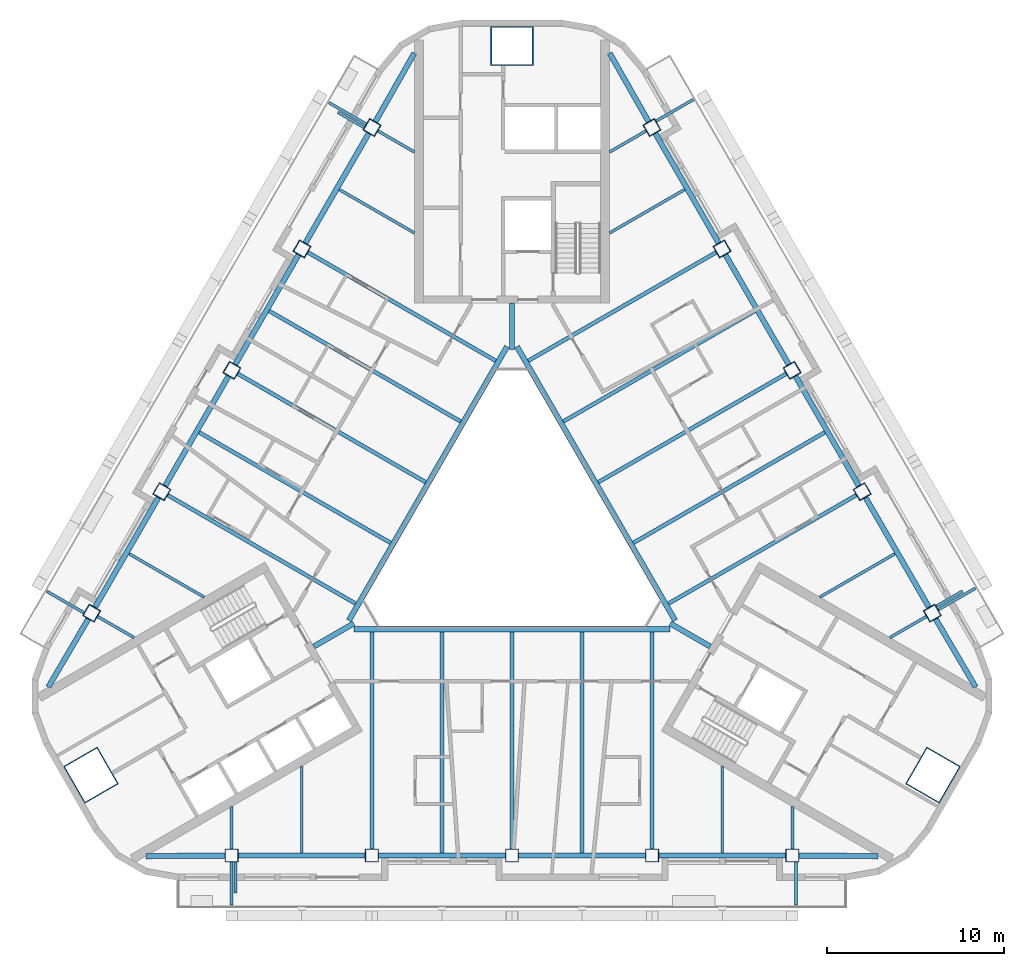
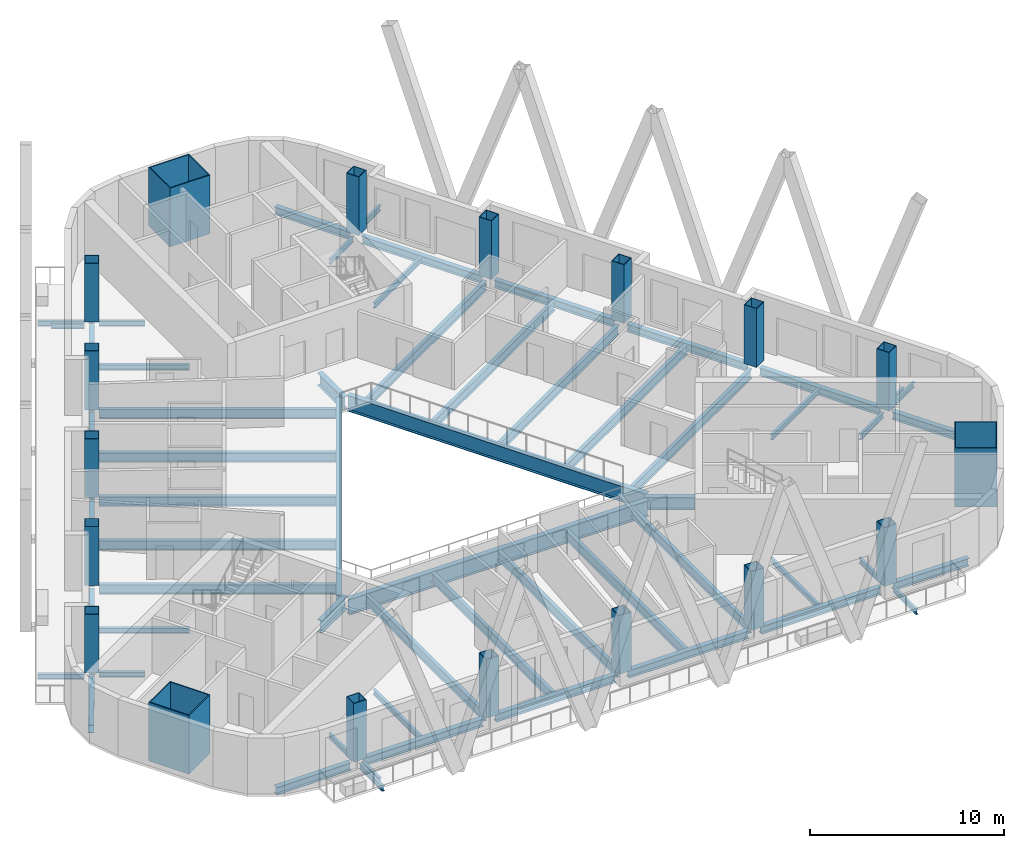
# One storey, part 1 of 14: 60 beams, 18 columns.
"""IFC4 building model written with IfcOpenShell, lengths in metres."""

from ifc_helpers import new_model, si_unit, direction, frame, origin, origin_2d, place, context, subcontext, project, spatial, rectangle, hollow_rectangle, i_section, extrude, material, material_profile, profile_set, type_object, element, save


model = new_model("IFC4")

# Units and contexts
model_context = context("Model", 3, precision=1e-05, world=origin(), true_north=direction((0.0, 1.0)))
body_context = subcontext(model_context, "Body", "Model", "MODEL_VIEW")
ifc_project = project(units=[si_unit("LENGTHUNIT", "METRE"), si_unit("AREAUNIT", "SQUARE_METRE"), si_unit("VOLUMEUNIT", "CUBIC_METRE"), si_unit("PLANEANGLEUNIT", "RADIAN"), si_unit("MASSUNIT", "GRAM", prefix="KILO")], contexts=[model_context])

# Site, building, storey
site_placement = place(None, origin())
site = spatial("IfcSite", under=ifc_project, at=site_placement, CompositionType="ELEMENT")
building_placement = place(site_placement, origin())
building = spatial("IfcBuilding", under=site, at=building_placement, Name="Apuvela Tower Hotel", CompositionType="ELEMENT")
storey_placement = place(building_placement, frame((0.0, 0.0, 202.10009765625)))
storey = spatial("IfcBuildingStorey", under=building, at=storey_placement, Name="L49", CompositionType="ELEMENT", Elevation=202.10009765625)

# Columns
ifc_material_1 = material(Name="Steel S460", Category="steel")
ifc_material_profile_1 = material_profile(ifc_material_1, hollow_rectangle(XDim=2.39990234375, YDim=2.199951171875, WallThickness=0.06005859375, at=origin_2d()), Name="BOX 2400x2200x60")
ifc_material_2 = material(Name="Concrete C80/95", Category="concrete")
ifc_material_profile_2 = material_profile(ifc_material_2, rectangle(XDim=2.280029296875, YDim=2.080078125, at=origin_2d()), Name="Concrete C80/95 infill")
ifc_profile_set_1 = profile_set([ifc_material_profile_1, ifc_material_profile_2], Name="Steel S460")
column_type_1 = type_object("IfcColumnType", Name="STR-MC mega column BOX 2400x2200x60", PredefinedType="COLUMN", material=ifc_profile_set_1)
for number, where, z_axis, x_axis, name in (
    (1, (0.0, 27.39990234375, 0.0), (0.0, 0.0, 1.0), (1.0, 0.0, 0.0), "Mega column MC3 N"),
    (2, (-23.72900390625, -13.699951171875, 0.0), (0.0, 0.0, 1.0), (-0.5, 0.866025403784, 0.0), "Mega column MC3 SW"),
    (3, (23.72900390625, -13.699951171875, 0.0), (0.0, 0.0, 1.0), (0.5, 0.866025403784, 0.0), "Mega column MC3 SE"),
):
    element("IfcColumn", number, at=place(storey_placement, frame(where, z_axis=z_axis, x_axis=x_axis)), inside=storey, type_object=column_type_1, Name=name, PredefinedType="COLUMN", context=body_context, shape_type="SweptSolid", body=[
        extrude(hollow_rectangle(XDim=2.39990234375, YDim=2.199951171875, WallThickness=0.06005859375, at=origin_2d()), origin(), (0.0, 0.0, 1.0), 3.699951171875),
    ])
ifc_material_profile_3 = material_profile(ifc_material_1, hollow_rectangle(XDim=0.75, YDim=0.75, WallThickness=0.034912109375, at=origin_2d()), Name="BOX 750x750x35")
ifc_material_profile_4 = material_profile(ifc_material_2, rectangle(XDim=0.679931640625, YDim=0.679931640625, at=origin_2d()), Name="Concrete C80/95 infill")
ifc_profile_set_2 = profile_set([ifc_material_profile_3, ifc_material_profile_4], Name="Steel S460")
column_type_2 = type_object("IfcColumnType", Name="STR-PC perimeter column BOX 750x750x35", PredefinedType="COLUMN", material=ifc_profile_set_2)
for number, where, z_axis, x_axis, name in (
    (4, (-15.800048828125, -18.22998046875, 0.0), (0.0, 0.0, 1.0), (-1.0, 0.0, 0.0), "Perimeter column C5 S1"),
    (5, (-7.89990234375, -18.22998046875, 0.0), (0.0, 0.0, 1.0), (-1.0, 0.0, 0.0), "Perimeter column C5 S2"),
    (6, (0.0, -18.22998046875, 0.0), (0.0, 0.0, 1.0), (-1.0, 0.0, 0.0), "Perimeter column C5 S3"),
    (7, (7.89990234375, -18.22998046875, 0.0), (0.0, 0.0, 1.0), (-1.0, 0.0, 0.0), "Perimeter column C5 S4"),
    (8, (15.800048828125, -18.22998046875, 0.0), (0.0, 0.0, 1.0), (-1.0, 0.0, 0.0), "Perimeter column C5 S5"),
    (9, (23.6875, -4.568115234375, 0.0), (0.0, 0.0, 1.0), (-0.5, 0.866025403784, 0.0), "Perimeter column C5 NE1"),
    (10, (19.737548828125, 2.2734375, 0.0), (0.0, 0.0, 1.0), (-0.5, 0.866025403784, 0.0), "Perimeter column C5 NE2"),
    (11, (15.78759765625, 9.114990234375, 0.0), (0.0, 0.0, 1.0), (-0.5, 0.866025403784, 0.0), "Perimeter column C5 NE3"),
    (12, (11.837646484375, 15.95654296875, 0.0), (0.0, 0.0, 1.0), (-0.5, 0.866025403784, 0.0), "Perimeter column C5 NE4"),
    (13, (7.8876953125, 22.798095703125, 0.0), (0.0, 0.0, 1.0), (-0.5, 0.866025403784, 0.0), "Perimeter column C5 NE5"),
    (14, (-7.8876953125, 22.798095703125, 0.0), (0.0, 0.0, 1.0), (0.5, 0.866025403784, 0.0), "Perimeter column C5 NW1"),
    (15, (-11.837646484375, 15.95654296875, 0.0), (0.0, 0.0, 1.0), (0.5, 0.866025403784, 0.0), "Perimeter column C5 NW2"),
    (16, (-15.78759765625, 9.114990234375, 0.0), (0.0, 0.0, 1.0), (0.5, 0.866025403784, 0.0), "Perimeter column C5 NW3"),
    (17, (-19.737548828125, 2.2734375, 0.0), (0.0, 0.0, 1.0), (0.5, 0.866025403784, 0.0), "Perimeter column C5 NW4"),
    (18, (-23.6875, -4.568115234375, 0.0), (0.0, 0.0, 1.0), (0.5, 0.866025403784, 0.0), "Perimeter column C5 NW5"),
):
    element("IfcColumn", number, at=place(storey_placement, frame(where, z_axis=z_axis, x_axis=x_axis)), inside=storey, type_object=column_type_2, Name=name, PredefinedType="COLUMN", context=body_context, shape_type="SweptSolid", body=[
        extrude(hollow_rectangle(XDim=0.75, YDim=0.75, WallThickness=0.034912109375, at=origin_2d()), origin(), (0.0, 0.0, 1.0), 3.699951171875),
    ])

# Beams
ifc_material_3 = material(Name="Steel S355", Category="steel")
ifc_material_profile_5 = material_profile(ifc_material_3, i_section(OverallWidth=0.159912109375, OverallDepth=0.330078125, WebThickness=0.007568359375, FlangeThickness=0.011474609375, at=origin_2d()), Name="IPE 330")
ifc_profile_set_3 = profile_set([ifc_material_profile_5], Name="Steel S355")
beam_type_1 = type_object("IfcBeamType", Name="ENV-BALCONY-BEAM-IPE330", PredefinedType="BEAM", material=ifc_profile_set_3)
beam_1_placement = place(storey_placement, frame((-15.800048828125, -18.60498046875, -0.315185546875), z_axis=(0.0, -1.0, 0.0), x_axis=(1.0, 0.0, 0.0)))
element("IfcBeam", 19, at=beam_1_placement, inside=storey, type_object=beam_type_1, Name="Balcony cantilever beam S1 L49", PredefinedType="BEAM", context=body_context, shape_type="SweptSolid", body=[
    extrude(i_section(OverallWidth=0.159912109375, OverallDepth=0.330078125, WebThickness=0.007568359375, FlangeThickness=0.011474609375, at=origin_2d()), origin(), (0.0, 0.0, 1.0), 2.425048828125),
])
beam_2_placement = place(storey_placement, frame((-15.580078125, -18.60498046875, -0.315185546875), z_axis=(0.0, -1.0, 0.0), x_axis=(1.0, 0.0, 0.0)))
element("IfcBeam", 20, at=beam_2_placement, inside=storey, type_object=beam_type_1, Name="Balcony cantilever beam S2 L49", PredefinedType="BEAM", context=body_context, shape_type="SweptSolid", body=[
    extrude(i_section(OverallWidth=0.159912109375, OverallDepth=0.330078125, WebThickness=0.007568359375, FlangeThickness=0.011474609375, at=origin_2d()), origin(), (0.0, 0.0, 1.0), 1.72509765625),
])
for number, where, z_axis, x_axis, name in (
    (21, (16.0, -18.60498046875, -0.315185546875), (0.0, -1.0, 0.0), (1.0, 0.0, 0.0), "Balcony cantilever beam S3 L49"),
    (22, (24.012451171875, -4.380615234375, -0.315185546875), (0.866041403502, 0.499972286653, 0.0), (-0.499972286653, 0.866041403502, 0.0), "Balcony cantilever beam NE1 L49"),
):
    element("IfcBeam", number, at=place(storey_placement, frame(where, z_axis=z_axis, x_axis=x_axis)), inside=storey, type_object=beam_type_1, Name=name, PredefinedType="BEAM", context=body_context, shape_type="SweptSolid", body=[
        extrude(i_section(OverallWidth=0.159912109375, OverallDepth=0.330078125, WebThickness=0.007568359375, FlangeThickness=0.011474609375, at=origin_2d()), origin(), (0.0, 0.0, 1.0), 2.425048828125),
    ])
beam_3_placement = place(storey_placement, frame((23.90234375, -4.190185546875, -0.315185546875), z_axis=(0.866013532718, 0.500020560727, 0.0), x_axis=(-0.500020560727, 0.866013532718, 0.0)))
element("IfcBeam", 23, at=beam_3_placement, inside=storey, type_object=beam_type_1, Name="Balcony cantilever beam NE2 L49", PredefinedType="BEAM", context=body_context, shape_type="SweptSolid", body=[
    extrude(i_section(OverallWidth=0.159912109375, OverallDepth=0.330078125, WebThickness=0.007568359375, FlangeThickness=0.011474609375, at=origin_2d()), origin(), (0.0, 0.0, 1.0), 1.72509765625),
])
for number, where, z_axis, x_axis, name in (
    (24, (8.1123046875, 23.158935546875, -0.315185546875), (0.866041403502, 0.499972286653, 0.0), (-0.499972286653, 0.866041403502, 0.0), "Balcony cantilever beam NE3 L49"),
    (25, (-8.21240234375, 22.985595703125, -0.315185546875), (-0.865997808697, 0.500047793048, 0.0), (-0.500047793048, -0.865997808697, 0.0), "Balcony cantilever beam NW1 L49"),
):
    element("IfcBeam", number, at=place(storey_placement, frame(where, z_axis=z_axis, x_axis=x_axis)), inside=storey, type_object=beam_type_1, Name=name, PredefinedType="BEAM", context=body_context, shape_type="SweptSolid", body=[
        extrude(i_section(OverallWidth=0.159912109375, OverallDepth=0.330078125, WebThickness=0.007568359375, FlangeThickness=0.011474609375, at=origin_2d()), origin(), (0.0, 0.0, 1.0), 2.425048828125),
    ])
beam_4_placement = place(storey_placement, frame((-8.322509765625, 22.795166015625, -0.315185546875), z_axis=(-0.866013532718, 0.500020560727, 0.0), x_axis=(-0.500020560727, -0.866013532718, 0.0)))
element("IfcBeam", 26, at=beam_4_placement, inside=storey, type_object=beam_type_1, Name="Balcony cantilever beam NW2 L49", PredefinedType="BEAM", context=body_context, shape_type="SweptSolid", body=[
    extrude(i_section(OverallWidth=0.159912109375, OverallDepth=0.330078125, WebThickness=0.007568359375, FlangeThickness=0.011474609375, at=origin_2d()), origin(), (0.0, 0.0, 1.0), 1.72509765625),
])
beam_5_placement = place(storey_placement, frame((-24.1123046875, -4.553955078125, -0.315185546875), z_axis=(-0.865997808697, 0.500047793048, 0.0), x_axis=(-0.500047793048, -0.865997808697, 0.0)))
element("IfcBeam", 27, at=beam_5_placement, inside=storey, type_object=beam_type_1, Name="Balcony cantilever beam NW3 L49", PredefinedType="BEAM", context=body_context, shape_type="SweptSolid", body=[
    extrude(i_section(OverallWidth=0.159912109375, OverallDepth=0.330078125, WebThickness=0.007568359375, FlangeThickness=0.011474609375, at=origin_2d()), origin(), (0.0, 0.0, 1.0), 2.425048828125),
])
ifc_material_profile_6 = material_profile(ifc_material_3, i_section(OverallWidth=0.159912109375, OverallDepth=0.330078125, WebThickness=0.007568359375, FlangeThickness=0.011474609375, at=origin_2d()), Name="IPE 330")
ifc_profile_set_4 = profile_set([ifc_material_profile_6], Name="Steel S355")
beam_type_2 = type_object("IfcBeamType", Name="STR-B floor beam IPE 330", PredefinedType="BEAM", material=ifc_profile_set_4)
beam_6_placement = place(storey_placement, frame((23.36279296875, -4.755615234375, -0.315185546875), z_axis=(-0.865982457891, -0.500074377092, 0.0), x_axis=(0.500074377092, -0.865982457891, 0.0)))
element("IfcBeam", 28, at=beam_6_placement, inside=storey, type_object=beam_type_2, Name="Floor beam B1 NE1", PredefinedType="BEAM", context=body_context, shape_type="SweptSolid", body=[
    extrude(i_section(OverallWidth=0.159912109375, OverallDepth=0.330078125, WebThickness=0.007568359375, FlangeThickness=0.011474609375, at=origin_2d()), origin(), (0.0, 0.0, 1.0), 2.382080078125),
])
for number, where, z_axis, x_axis, name in (
    (29, (21.582763671875, -1.222412109375, -0.315185546875), (-0.866015056278, -0.500017921979, 0.0), (0.500017921979, -0.866015056278, 0.0), "Floor beam B1 NE2"),
    (30, (9.732666015625, 19.302490234375, -0.315185546875), (-0.866015056278, -0.500017921979, 0.0), (0.500017921979, -0.866015056278, 0.0), "Floor beam B1 NE8"),
):
    element("IfcBeam", number, at=place(storey_placement, frame(where, z_axis=z_axis, x_axis=x_axis)), inside=storey, type_object=beam_type_2, Name=name, PredefinedType="BEAM", context=body_context, shape_type="SweptSolid", body=[
        extrude(i_section(OverallWidth=0.159912109375, OverallDepth=0.330078125, WebThickness=0.007568359375, FlangeThickness=0.011474609375, at=origin_2d()), origin(), (0.0, 0.0, 1.0), 4.887451171875),
    ])
for number, where, z_axis, x_axis, name in (
    (31, (7.56298828125, 22.610595703125, -0.315185546875), (-0.866052464367, -0.499953126767, 0.0), (0.499953126767, -0.866052464367, 0.0), "Floor beam B1 NE9"),
    (32, (-7.56298828125, 22.610595703125, -0.315185546875), (0.866052464367, -0.499953126767, 0.0), (0.499953126767, 0.866052464367, 0.0), "Floor beam B1 NW1"),
):
    element("IfcBeam", number, at=place(storey_placement, frame(where, z_axis=z_axis, x_axis=x_axis)), inside=storey, type_object=beam_type_2, Name=name, PredefinedType="BEAM", context=body_context, shape_type="SweptSolid", body=[
        extrude(i_section(OverallWidth=0.159912109375, OverallDepth=0.330078125, WebThickness=0.007568359375, FlangeThickness=0.011474609375, at=origin_2d()), origin(), (0.0, 0.0, 1.0), 2.382080078125),
    ])
for number, where, z_axis, x_axis, name in (
    (33, (-9.732666015625, 19.302490234375, -0.315185546875), (0.866015056278, -0.500017921979, 0.0), (0.500017921979, 0.866015056278, 0.0), "Floor beam B1 NW2"),
    (34, (-21.582763671875, -1.222412109375, -0.315185546875), (0.866015056278, -0.500017921979, 0.0), (0.500017921979, 0.866015056278, 0.0), "Floor beam B1 NW8"),
):
    element("IfcBeam", number, at=place(storey_placement, frame(where, z_axis=z_axis, x_axis=x_axis)), inside=storey, type_object=beam_type_2, Name=name, PredefinedType="BEAM", context=body_context, shape_type="SweptSolid", body=[
        extrude(i_section(OverallWidth=0.159912109375, OverallDepth=0.330078125, WebThickness=0.007568359375, FlangeThickness=0.011474609375, at=origin_2d()), origin(), (0.0, 0.0, 1.0), 4.887451171875),
    ])
for number, where, z_axis, x_axis, name in (
    (35, (-23.36279296875, -4.755615234375, -0.315185546875), (0.865982457891, -0.500074377092, 0.0), (0.500074377092, 0.865982457891, 0.0), "Floor beam B1 NW9"),
    (36, (-15.800048828125, -17.85498046875, -0.315185546875), (0.0, 1.0, 0.0), (-1.0, 0.0, 0.0), "Floor beam B1 S1"),
):
    element("IfcBeam", number, at=place(storey_placement, frame(where, z_axis=z_axis, x_axis=x_axis)), inside=storey, type_object=beam_type_2, Name=name, PredefinedType="BEAM", context=body_context, shape_type="SweptSolid", body=[
        extrude(i_section(OverallWidth=0.159912109375, OverallDepth=0.330078125, WebThickness=0.007568359375, FlangeThickness=0.011474609375, at=origin_2d()), origin(), (0.0, 0.0, 1.0), 2.382080078125),
    ])
for number, where, z_axis, x_axis, name in (
    (37, (-11.85009765625, -18.080078125, -0.315185546875), (0.0, 1.0, 0.0), (-1.0, 0.0, 0.0), "Floor beam B1 S2"),
    (38, (11.85009765625, -18.080078125, -0.315185546875), (0.0, 1.0, 0.0), (-1.0, 0.0, 0.0), "Floor beam B1 S8"),
):
    element("IfcBeam", number, at=place(storey_placement, frame(where, z_axis=z_axis, x_axis=x_axis)), inside=storey, type_object=beam_type_2, Name=name, PredefinedType="BEAM", context=body_context, shape_type="SweptSolid", body=[
        extrude(i_section(OverallWidth=0.159912109375, OverallDepth=0.330078125, WebThickness=0.007568359375, FlangeThickness=0.011474609375, at=origin_2d()), origin(), (0.0, 0.0, 1.0), 4.8876953125),
    ])
beam_7_placement = place(storey_placement, frame((15.800048828125, -17.85498046875, -0.315185546875), z_axis=(0.0, 1.0, 0.0), x_axis=(-1.0, 0.0, 0.0)))
element("IfcBeam", 39, at=beam_7_placement, inside=storey, type_object=beam_type_2, Name="Floor beam B1 S9", PredefinedType="BEAM", context=body_context, shape_type="SweptSolid", body=[
    extrude(i_section(OverallWidth=0.159912109375, OverallDepth=0.330078125, WebThickness=0.007568359375, FlangeThickness=0.011474609375, at=origin_2d()), origin(), (0.0, 0.0, 1.0), 2.382080078125),
])
ifc_material_profile_7 = material_profile(ifc_material_3, i_section(OverallWidth=0.219970703125, OverallDepth=0.60009765625, WebThickness=0.011962890625, FlangeThickness=0.01904296875, at=origin_2d()), Name="IPE 600")
ifc_profile_set_5 = profile_set([ifc_material_profile_7], Name="Steel S355")
beam_type_3 = type_object("IfcBeamType", Name="STR-B floor beam IPE 600", PredefinedType="BEAM", material=ifc_profile_set_5)
beam_8_placement = place(storey_placement, frame((19.412841796875, 2.0859375, -0.4501953125), z_axis=(-0.866025418325, -0.499999974815, 0.0), x_axis=(0.499999974815, -0.866025418325, 0.0)))
element("IfcBeam", 40, at=beam_8_placement, inside=storey, type_object=beam_type_3, Name="Floor beam B8 NE3", PredefinedType="BEAM", context=body_context, shape_type="SweptSolid", body=[
    extrude(i_section(OverallWidth=0.219970703125, OverallDepth=0.60009765625, WebThickness=0.011962890625, FlangeThickness=0.01904296875, at=origin_2d()), origin(), (0.0, 0.0, 1.0), 12.23486328125),
])
beam_9_placement = place(storey_placement, frame((17.6328125, 5.619140625, -0.4501953125), z_axis=(-0.866027987673, -0.499995524547, 0.0), x_axis=(0.499995524547, -0.866027987673, 0.0)))
element("IfcBeam", 41, at=beam_9_placement, inside=storey, type_object=beam_type_3, Name="Floor beam B8 NE4", PredefinedType="BEAM", context=body_context, shape_type="SweptSolid", body=[
    extrude(i_section(OverallWidth=0.219970703125, OverallDepth=0.60009765625, WebThickness=0.011962890625, FlangeThickness=0.01904296875, at=origin_2d()), origin(), (0.0, 0.0, 1.0), 12.4599609375),
])
beam_10_placement = place(storey_placement, frame((15.462890625, 8.927490234375, -0.4501953125), z_axis=(-0.866025418325, -0.499999974815, 0.0), x_axis=(0.499999974815, -0.866025418325, 0.0)))
element("IfcBeam", 42, at=beam_10_placement, inside=storey, type_object=beam_type_3, Name="Floor beam B8 NE5", PredefinedType="BEAM", context=body_context, shape_type="SweptSolid", body=[
    extrude(i_section(OverallWidth=0.219970703125, OverallDepth=0.60009765625, WebThickness=0.011962890625, FlangeThickness=0.01904296875, at=origin_2d()), origin(), (0.0, 0.0, 1.0), 12.23486328125),
])
beam_11_placement = place(storey_placement, frame((13.6826171875, 12.460693359375, -0.4501953125), z_axis=(-0.866023089177, -0.500004008996, 0.0), x_axis=(0.500004008996, -0.866023089177, 0.0)))
element("IfcBeam", 43, at=beam_11_placement, inside=storey, type_object=beam_type_3, Name="Floor beam B8 NE6", PredefinedType="BEAM", context=body_context, shape_type="SweptSolid", body=[
    extrude(i_section(OverallWidth=0.219970703125, OverallDepth=0.60009765625, WebThickness=0.011962890625, FlangeThickness=0.01904296875, at=origin_2d()), origin(), (0.0, 0.0, 1.0), 12.4599609375),
])
for number, where, z_axis, x_axis, name in (
    (44, (11.512939453125, 15.76904296875, -0.4501953125), (-0.866030406821, -0.499991334387, 0.0), (0.499991334387, -0.866030406821, 0.0), "Floor beam B8 NE7"),
    (45, (-11.512939453125, 15.76904296875, -0.4501953125), (0.866030406821, -0.499991334387, 0.0), (0.499991334387, 0.866030406821, 0.0), "Floor beam B8 NW3"),
):
    element("IfcBeam", number, at=place(storey_placement, frame(where, z_axis=z_axis, x_axis=x_axis)), inside=storey, type_object=beam_type_3, Name=name, PredefinedType="BEAM", context=body_context, shape_type="SweptSolid", body=[
        extrude(i_section(OverallWidth=0.219970703125, OverallDepth=0.60009765625, WebThickness=0.011962890625, FlangeThickness=0.01904296875, at=origin_2d()), origin(), (0.0, 0.0, 1.0), 12.235107421875),
    ])
beam_12_placement = place(storey_placement, frame((-13.6826171875, 12.460693359375, -0.4501953125), z_axis=(0.866023089177, -0.500004008996, 0.0), x_axis=(0.500004008996, 0.866023089177, 0.0)))
element("IfcBeam", 46, at=beam_12_placement, inside=storey, type_object=beam_type_3, Name="Floor beam B8 NW4", PredefinedType="BEAM", context=body_context, shape_type="SweptSolid", body=[
    extrude(i_section(OverallWidth=0.219970703125, OverallDepth=0.60009765625, WebThickness=0.011962890625, FlangeThickness=0.01904296875, at=origin_2d()), origin(), (0.0, 0.0, 1.0), 12.4599609375),
])
beam_13_placement = place(storey_placement, frame((-15.462890625, 8.927490234375, -0.4501953125), z_axis=(0.866025418325, -0.499999974815, 0.0), x_axis=(0.499999974815, 0.866025418325, 0.0)))
element("IfcBeam", 47, at=beam_13_placement, inside=storey, type_object=beam_type_3, Name="Floor beam B8 NW5", PredefinedType="BEAM", context=body_context, shape_type="SweptSolid", body=[
    extrude(i_section(OverallWidth=0.219970703125, OverallDepth=0.60009765625, WebThickness=0.011962890625, FlangeThickness=0.01904296875, at=origin_2d()), origin(), (0.0, 0.0, 1.0), 12.23486328125),
])
beam_14_placement = place(storey_placement, frame((-17.6328125, 5.619140625, -0.4501953125), z_axis=(0.866027987673, -0.499995524547, 0.0), x_axis=(0.499995524547, 0.866027987673, 0.0)))
element("IfcBeam", 48, at=beam_14_placement, inside=storey, type_object=beam_type_3, Name="Floor beam B8 NW6", PredefinedType="BEAM", context=body_context, shape_type="SweptSolid", body=[
    extrude(i_section(OverallWidth=0.219970703125, OverallDepth=0.60009765625, WebThickness=0.011962890625, FlangeThickness=0.01904296875, at=origin_2d()), origin(), (0.0, 0.0, 1.0), 12.4599609375),
])
for number, where, z_axis, x_axis, name in (
    (49, (-19.412841796875, 2.0859375, -0.4501953125), (0.866025418325, -0.499999974815, 0.0), (0.499999974815, 0.866025418325, 0.0), "Floor beam B8 NW7"),
    (50, (-7.89990234375, -17.85498046875, -0.4501953125), (0.0, 1.0, 0.0), (-1.0, 0.0, 0.0), "Floor beam B8 S3"),
):
    element("IfcBeam", number, at=place(storey_placement, frame(where, z_axis=z_axis, x_axis=x_axis)), inside=storey, type_object=beam_type_3, Name=name, PredefinedType="BEAM", context=body_context, shape_type="SweptSolid", body=[
        extrude(i_section(OverallWidth=0.219970703125, OverallDepth=0.60009765625, WebThickness=0.011962890625, FlangeThickness=0.01904296875, at=origin_2d()), origin(), (0.0, 0.0, 1.0), 12.23486328125),
    ])
beam_15_placement = place(storey_placement, frame((-3.949951171875, -18.080078125, -0.4501953125), z_axis=(0.0, 1.0, 0.0), x_axis=(-1.0, 0.0, 0.0)))
element("IfcBeam", 51, at=beam_15_placement, inside=storey, type_object=beam_type_3, Name="Floor beam B8 S4", PredefinedType="BEAM", context=body_context, shape_type="SweptSolid", body=[
    extrude(i_section(OverallWidth=0.219970703125, OverallDepth=0.60009765625, WebThickness=0.011962890625, FlangeThickness=0.01904296875, at=origin_2d()), origin(), (0.0, 0.0, 1.0), 12.4599609375),
])
beam_16_placement = place(storey_placement, frame((0.0, -17.85498046875, -0.4501953125), z_axis=(0.0, 1.0, 0.0), x_axis=(-1.0, 0.0, 0.0)))
element("IfcBeam", 52, at=beam_16_placement, inside=storey, type_object=beam_type_3, Name="Floor beam B8 S5", PredefinedType="BEAM", context=body_context, shape_type="SweptSolid", body=[
    extrude(i_section(OverallWidth=0.219970703125, OverallDepth=0.60009765625, WebThickness=0.011962890625, FlangeThickness=0.01904296875, at=origin_2d()), origin(), (0.0, 0.0, 1.0), 12.23486328125),
])
beam_17_placement = place(storey_placement, frame((3.949951171875, -18.080078125, -0.4501953125), z_axis=(0.0, 1.0, 0.0), x_axis=(-1.0, 0.0, 0.0)))
element("IfcBeam", 53, at=beam_17_placement, inside=storey, type_object=beam_type_3, Name="Floor beam B8 S6", PredefinedType="BEAM", context=body_context, shape_type="SweptSolid", body=[
    extrude(i_section(OverallWidth=0.219970703125, OverallDepth=0.60009765625, WebThickness=0.011962890625, FlangeThickness=0.01904296875, at=origin_2d()), origin(), (0.0, 0.0, 1.0), 12.4599609375),
])
beam_18_placement = place(storey_placement, frame((7.89990234375, -17.85498046875, -0.4501953125), z_axis=(0.0, 1.0, 0.0), x_axis=(-1.0, 0.0, 0.0)))
element("IfcBeam", 54, at=beam_18_placement, inside=storey, type_object=beam_type_3, Name="Floor beam B8 S7", PredefinedType="BEAM", context=body_context, shape_type="SweptSolid", body=[
    extrude(i_section(OverallWidth=0.219970703125, OverallDepth=0.60009765625, WebThickness=0.011962890625, FlangeThickness=0.01904296875, at=origin_2d()), origin(), (0.0, 0.0, 1.0), 12.23486328125),
])
ifc_material_profile_8 = material_profile(ifc_material_3, i_section(OverallWidth=0.300048828125, OverallDepth=1.0, WebThickness=0.01904296875, FlangeThickness=0.035888671875, at=origin_2d()), Name="HE 1000 B")
ifc_profile_set_6 = profile_set([ifc_material_profile_8], Name="Steel S355")
beam_type_4 = type_object("IfcBeamType", Name="STR-G atrium ring girder HE 1000 B", PredefinedType="BEAM", material=ifc_profile_set_6)
beam_19_placement = place(storey_placement, frame((-0.27978515625, 10.455078125, -0.650146484375), z_axis=(-0.500006541319, -0.866021627119, 0.0), x_axis=(0.866021627119, -0.500006541319, 0.0)))
element("IfcBeam", 55, at=beam_19_placement, inside=storey, type_object=beam_type_4, Name="Atrium ring girder G2 N-SW", PredefinedType="BEAM", context=body_context, shape_type="SweptSolid", body=[
    extrude(i_section(OverallWidth=0.300048828125, OverallDepth=1.0, WebThickness=0.01904296875, FlangeThickness=0.035888671875, at=origin_2d()), origin(), (0.0, 0.0, 1.0), 17.828857421875),
])
beam_20_placement = place(storey_placement, frame((-8.91455078125, -5.469970703125, -0.650146484375), z_axis=(1.0, 0.0, 0.0), x_axis=(0.0, 1.0, 0.0)))
element("IfcBeam", 56, at=beam_20_placement, inside=storey, type_object=beam_type_4, Name="Atrium ring girder G2 SW-SE", PredefinedType="BEAM", context=body_context, shape_type="SweptSolid", body=[
    extrude(i_section(OverallWidth=0.300048828125, OverallDepth=1.0, WebThickness=0.01904296875, FlangeThickness=0.035888671875, at=origin_2d()), origin(), (0.0, 0.0, 1.0), 17.8291015625),
])
beam_21_placement = place(storey_placement, frame((9.1943359375, -4.985107421875, -0.650146484375), z_axis=(-0.500006541319, 0.866021627119, 0.0), x_axis=(-0.866021627119, -0.500006541319, 0.0)))
element("IfcBeam", 57, at=beam_21_placement, inside=storey, type_object=beam_type_4, Name="Atrium ring girder G2 SE-N", PredefinedType="BEAM", context=body_context, shape_type="SweptSolid", body=[
    extrude(i_section(OverallWidth=0.300048828125, OverallDepth=1.0, WebThickness=0.01904296875, FlangeThickness=0.035888671875, at=origin_2d()), origin(), (0.0, 0.0, 1.0), 17.828857421875),
])
ifc_material_profile_9 = material_profile(ifc_material_3, i_section(OverallWidth=0.300048828125, OverallDepth=0.800048828125, WebThickness=0.017578125, FlangeThickness=0.032958984375, at=origin_2d()), Name="HE 800 B")
ifc_profile_set_7 = profile_set([ifc_material_profile_9], Name="Steel S355")
beam_type_5 = type_object("IfcBeamType", Name="STR-GT core tie beam HE 800 B", PredefinedType="BEAM", material=ifc_profile_set_7)
for number, where, z_axis, x_axis, name in (
    (58, (0.0, 12.89990234375, -0.550048828125), (0.0, -1.0, 0.0), (1.0, 0.0, 0.0), "Core tie beam GT1 N"),
    (59, (-11.171630859375, -6.449951171875, -0.550048828125), (0.865997922154, 0.500047596559, 0.0), (-0.500047596559, 0.865997922154, 0.0), "Core tie beam GT1 SW"),
    (60, (11.171630859375, -6.449951171875, -0.550048828125), (-0.865997922154, 0.500047596559, 0.0), (-0.500047596559, -0.865997922154, 0.0), "Core tie beam GT1 SE"),
):
    element("IfcBeam", number, at=place(storey_placement, frame(where, z_axis=z_axis, x_axis=x_axis)), inside=storey, type_object=beam_type_5, Name=name, PredefinedType="BEAM", context=body_context, shape_type="SweptSolid", body=[
        extrude(i_section(OverallWidth=0.300048828125, OverallDepth=0.800048828125, WebThickness=0.017578125, FlangeThickness=0.032958984375, at=origin_2d()), origin(), (0.0, 0.0, 1.0), 2.599853515625),
    ])
ifc_material_profile_10 = material_profile(ifc_material_3, i_section(OverallWidth=0.300048828125, OverallDepth=0.489990234375, WebThickness=0.011962890625, FlangeThickness=0.02294921875, at=origin_2d()), Name="HE 500 A")
ifc_profile_set_8 = profile_set([ifc_material_profile_10], Name="Steel S355")
beam_type_6 = type_object("IfcBeamType", Name="STR-SB spandrel beam HE 500 A", PredefinedType="SPANDREL", material=ifc_profile_set_8)
beam_22_placement = place(storey_placement, frame((-15.425048828125, -18.22998046875, -0.39501953125), z_axis=(1.0, 0.0, 0.0), x_axis=(0.0, 1.0, 0.0)))
element("IfcBeam", 61, at=beam_22_placement, inside=storey, type_object=beam_type_6, Name="Spandrel beam SB3 S1", PredefinedType="SPANDREL", context=body_context, shape_type="SweptSolid", body=[
    extrude(i_section(OverallWidth=0.300048828125, OverallDepth=0.489990234375, WebThickness=0.011962890625, FlangeThickness=0.02294921875, at=origin_2d()), origin(), (0.0, 0.0, 1.0), 7.150146484375),
])
for number, where, z_axis, x_axis, name in (
    (62, (-7.52490234375, -18.22998046875, -0.39501953125), (1.0, 0.0, 0.0), (0.0, 1.0, 0.0), "Spandrel beam SB3 S2"),
    (63, (0.375, -18.22998046875, -0.39501953125), (1.0, 0.0, 0.0), (0.0, 1.0, 0.0), "Spandrel beam SB3 S3"),
):
    element("IfcBeam", number, at=place(storey_placement, frame(where, z_axis=z_axis, x_axis=x_axis)), inside=storey, type_object=beam_type_6, Name=name, PredefinedType="SPANDREL", context=body_context, shape_type="SweptSolid", body=[
        extrude(i_section(OverallWidth=0.300048828125, OverallDepth=0.489990234375, WebThickness=0.011962890625, FlangeThickness=0.02294921875, at=origin_2d()), origin(), (0.0, 0.0, 1.0), 7.14990234375),
    ])
beam_23_placement = place(storey_placement, frame((8.27490234375, -18.22998046875, -0.39501953125), z_axis=(1.0, 0.0, 0.0), x_axis=(0.0, 1.0, 0.0)))
element("IfcBeam", 64, at=beam_23_placement, inside=storey, type_object=beam_type_6, Name="Spandrel beam SB3 S4", PredefinedType="SPANDREL", context=body_context, shape_type="SweptSolid", body=[
    extrude(i_section(OverallWidth=0.300048828125, OverallDepth=0.489990234375, WebThickness=0.011962890625, FlangeThickness=0.02294921875, at=origin_2d()), origin(), (0.0, 0.0, 1.0), 7.150146484375),
])
beam_24_placement = place(storey_placement, frame((23.5, -4.243408203125, -0.39501953125), z_axis=(-0.500006209673, 0.866021818598, 0.0), x_axis=(-0.866021818598, -0.500006209673, 0.0)))
element("IfcBeam", 65, at=beam_24_placement, inside=storey, type_object=beam_type_6, Name="Spandrel beam SB3 NE1", PredefinedType="SPANDREL", context=body_context, shape_type="SweptSolid", body=[
    extrude(i_section(OverallWidth=0.300048828125, OverallDepth=0.489990234375, WebThickness=0.011962890625, FlangeThickness=0.02294921875, at=origin_2d()), origin(), (0.0, 0.0, 1.0), 7.14990234375),
])
for number, where, z_axis, x_axis, name in (
    (66, (19.550048828125, 2.59814453125, -0.39501953125), (-0.499991424076, 0.86603035504, 0.0), (-0.86603035504, -0.499991424076, 0.0), "Spandrel beam SB3 NE2"),
    (67, (15.60009765625, 9.439697265625, -0.39501953125), (-0.499991424076, 0.86603035504, 0.0), (-0.86603035504, -0.499991424076, 0.0), "Spandrel beam SB3 NE3"),
):
    element("IfcBeam", number, at=place(storey_placement, frame(where, z_axis=z_axis, x_axis=x_axis)), inside=storey, type_object=beam_type_6, Name=name, PredefinedType="SPANDREL", context=body_context, shape_type="SweptSolid", body=[
        extrude(i_section(OverallWidth=0.300048828125, OverallDepth=0.489990234375, WebThickness=0.011962890625, FlangeThickness=0.02294921875, at=origin_2d()), origin(), (0.0, 0.0, 1.0), 7.150146484375),
    ])
for number, where, z_axis, x_axis, name in (
    (68, (11.650146484375, 16.281494140625, -0.39501953125), (-0.500006209673, 0.866021818598, 0.0), (-0.866021818598, -0.500006209673, 0.0), "Spandrel beam SB3 NE4"),
    (69, (-8.0751953125, 22.473388671875, -0.39501953125), (-0.500006209673, -0.866021818598, 0.0), (0.866021818598, -0.500006209673, 0.0), "Spandrel beam SB3 NW1"),
):
    element("IfcBeam", number, at=place(storey_placement, frame(where, z_axis=z_axis, x_axis=x_axis)), inside=storey, type_object=beam_type_6, Name=name, PredefinedType="SPANDREL", context=body_context, shape_type="SweptSolid", body=[
        extrude(i_section(OverallWidth=0.300048828125, OverallDepth=0.489990234375, WebThickness=0.011962890625, FlangeThickness=0.02294921875, at=origin_2d()), origin(), (0.0, 0.0, 1.0), 7.14990234375),
    ])
for number, where, z_axis, x_axis, name in (
    (70, (-12.025146484375, 15.6318359375, -0.39501953125), (-0.499991424076, -0.86603035504, 0.0), (0.86603035504, -0.499991424076, 0.0), "Spandrel beam SB3 NW2"),
    (71, (-15.97509765625, 8.790283203125, -0.39501953125), (-0.499991424076, -0.86603035504, 0.0), (0.86603035504, -0.499991424076, 0.0), "Spandrel beam SB3 NW3"),
):
    element("IfcBeam", number, at=place(storey_placement, frame(where, z_axis=z_axis, x_axis=x_axis)), inside=storey, type_object=beam_type_6, Name=name, PredefinedType="SPANDREL", context=body_context, shape_type="SweptSolid", body=[
        extrude(i_section(OverallWidth=0.300048828125, OverallDepth=0.489990234375, WebThickness=0.011962890625, FlangeThickness=0.02294921875, at=origin_2d()), origin(), (0.0, 0.0, 1.0), 7.150146484375),
    ])
beam_25_placement = place(storey_placement, frame((-19.925048828125, 1.948486328125, -0.39501953125), z_axis=(-0.500006209673, -0.866021818598, 0.0), x_axis=(0.866021818598, -0.500006209673, 0.0)))
element("IfcBeam", 72, at=beam_25_placement, inside=storey, type_object=beam_type_6, Name="Spandrel beam SB3 NW4", PredefinedType="SPANDREL", context=body_context, shape_type="SweptSolid", body=[
    extrude(i_section(OverallWidth=0.300048828125, OverallDepth=0.489990234375, WebThickness=0.011962890625, FlangeThickness=0.02294921875, at=origin_2d()), origin(), (0.0, 0.0, 1.0), 7.14990234375),
])
for number, where, z_axis, x_axis, name in (
    (73, (-16.175048828125, -18.232666015625, -0.39501953125), (-0.999976567383, -0.006845778571, 0.0), (0.006845778571, -0.999976567383, 0.0), "Spandrel beam SB3 S1-SW"),
    (74, (16.175048828125, -18.232666015625, -0.39501953125), (0.999976567383, -0.006845778571, 0.0), (0.006845778571, 0.999976567383, 0.0), "Spandrel beam SB3 S5-SE"),
    (75, (23.87744140625, -4.8916015625, -0.39501953125), (0.505933122104, -0.862572707636, 0.0), (0.862572707636, 0.505933122104, 0.0), "Spandrel beam SB3 NE1-SE"),
    (76, (7.702392578125, 23.124267578125, -0.39501953125), (-0.494055513212, 0.869430359411, 0.0), (-0.869430359411, -0.494055513212, 0.0), "Spandrel beam SB3 NE5-N"),
    (77, (-7.702392578125, 23.124267578125, -0.39501953125), (0.494055513212, 0.869430359411, 0.0), (-0.869430359411, 0.494055513212, 0.0), "Spandrel beam SB3 NW1-N"),
    (78, (-23.87744140625, -4.8916015625, -0.39501953125), (-0.505933122104, -0.862572707636, 0.0), (0.862572707636, -0.505933122104, 0.0), "Spandrel beam SB3 NW5-SW"),
):
    element("IfcBeam", number, at=place(storey_placement, frame(where, z_axis=z_axis, x_axis=x_axis)), inside=storey, type_object=beam_type_6, Name=name, PredefinedType="SPANDREL", context=body_context, shape_type="SweptSolid", body=[
        extrude(i_section(OverallWidth=0.300048828125, OverallDepth=0.489990234375, WebThickness=0.011962890625, FlangeThickness=0.02294921875, at=origin_2d()), origin(), (0.0, 0.0, 1.0), 4.457763671875),
    ])

save(model, "model.ifc")
